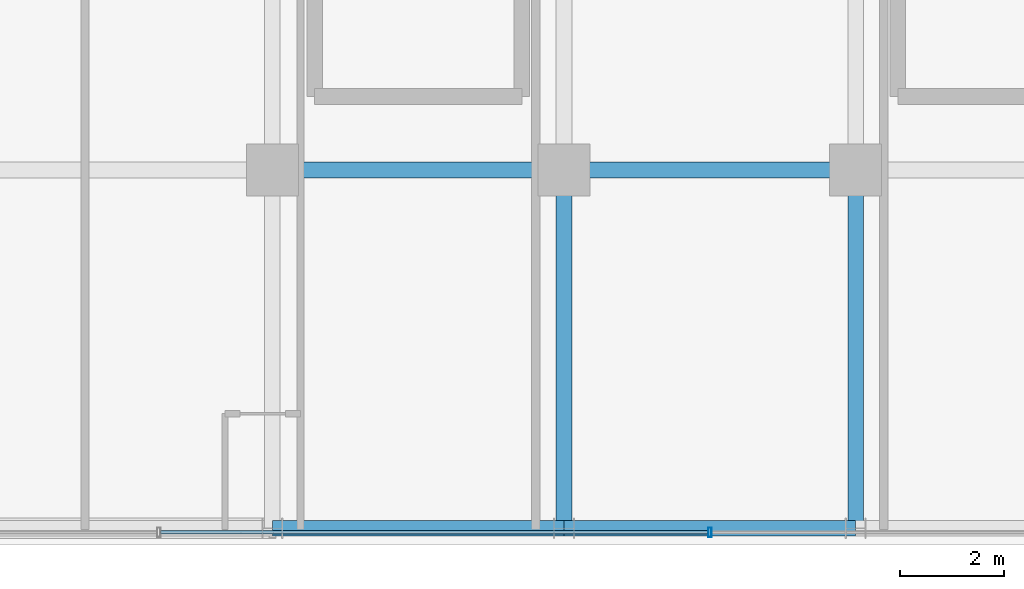
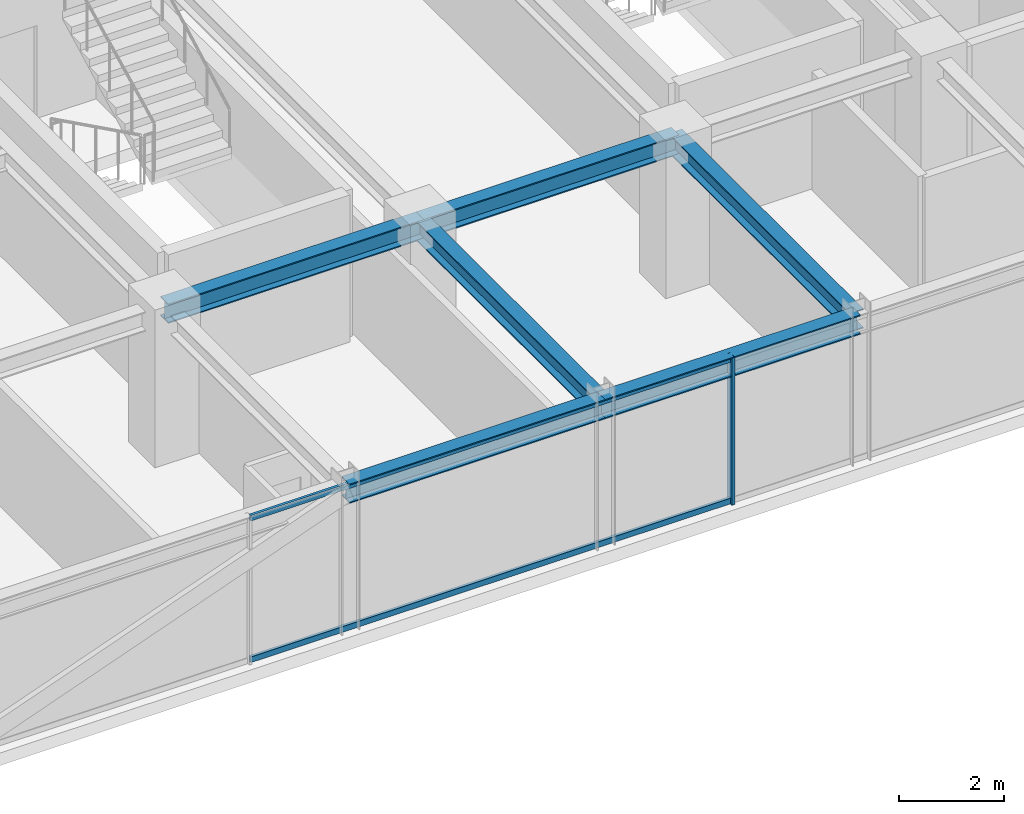
# One storey, part 8 of 36: 6 beams, 3 members, 1 element without a shape of its own.
"""IFC4 building model written with IfcOpenShell, lengths in metres."""

from ifc_helpers import new_model, si_unit, direction, frame, origin, origin_2d, place, context, subcontext, project, spatial, hollow_rectangle, i_section, extrude, source, transform, mapped, material, material_profile, profile_set, type_object, element, aggregate, save


model = new_model("IFC4")

# Units and contexts
model_context = context("Model", 3, precision=1e-05, world=origin(), true_north=direction((0.0, 1.0)))
body_context = subcontext(model_context, "Body", "Model", "MODEL_VIEW")
ifc_project = project(units=[si_unit("LENGTHUNIT", "METRE"), si_unit("AREAUNIT", "SQUARE_METRE"), si_unit("VOLUMEUNIT", "CUBIC_METRE"), si_unit("PLANEANGLEUNIT", "RADIAN"), si_unit("MASSUNIT", "GRAM", prefix="KILO")], contexts=[model_context])

# Site, building, storey
site_placement = place(None, origin())
site = spatial("IfcSite", under=ifc_project, at=site_placement, CompositionType="ELEMENT")
building_placement = place(site_placement, origin())
building = spatial("IfcBuilding", under=site, at=building_placement, Name="Nahalor Promenade Grand Hotel", CompositionType="ELEMENT")
storey_placement = place(building_placement, frame((0.0, 0.0, 212.300048828125)))
storey = spatial("IfcBuildingStorey", under=building, at=storey_placement, Name="L54", CompositionType="ELEMENT", Elevation=212.300048828125)

# Beams
ifc_material_1 = material(Name="Steel S355JR", Category="steel")
ifc_material_profile_1 = material_profile(ifc_material_1, i_section(OverallWidth=0.3, OverallDepth=0.45, WebThickness=0.014, FlangeThickness=0.026, at=origin_2d()), Name="HEB 450")
ifc_profile_set_1 = profile_set([ifc_material_profile_1], Name="Steel S355JR")
beam_type_1 = type_object("IfcBeamType", Name="Beam-Spandrel-HEB450", PredefinedType="SPANDREL", material=ifc_profile_set_1)
shared_shape_1 = source(origin(), body_context, "Body", "SweptSolid", [
    extrude(i_section(OverallWidth=0.3, OverallDepth=0.45, WebThickness=0.014, FlangeThickness=0.026, at=origin_2d()), origin(), (0.0, 0.0, 1.0), 5.599853515625),
])
beam_1_placement = place(storey_placement, frame((-8.39990234375, -23.8798828125, 3.18505859375), z_axis=(1.0, 0.0, 0.0), x_axis=(0.0, 1.0, 0.0)))
element("IfcBeam", 1, at=beam_1_placement, inside=storey, type_object=beam_type_1, Name="BM-L54-SP-S-1", PredefinedType="SPANDREL", context=body_context, shape_type="MappedRepresentation", body=[
    mapped(shared_shape_1, transform((0.0, 0.0, 0.0), scale=1.0)),
])
shared_shape_2 = source(origin(), body_context, "Body", "SweptSolid", [
    extrude(i_section(OverallWidth=0.3, OverallDepth=0.45, WebThickness=0.014, FlangeThickness=0.026, at=origin_2d()), origin(), (0.0, 0.0, 1.0), 5.60009765625),
])
beam_2_placement = place(storey_placement, frame((-2.800048828125, -23.8798828125, 3.18505859375), z_axis=(1.0, 0.0, 0.0), x_axis=(0.0, 1.0, 0.0)))
element("IfcBeam", 2, at=beam_2_placement, inside=storey, type_object=beam_type_1, Name="BM-L54-SP-S-2", PredefinedType="SPANDREL", context=body_context, shape_type="MappedRepresentation", body=[
    mapped(shared_shape_2, transform((0.0, 0.0, 0.0), scale=1.0)),
])
ifc_material_profile_2 = material_profile(ifc_material_1, i_section(OverallWidth=0.3, OverallDepth=0.45, WebThickness=0.014, FlangeThickness=0.026, at=origin_2d()), Name="HEB 450")
ifc_profile_set_2 = profile_set([ifc_material_profile_2], Name="Steel S355JR")
beam_type_2 = type_object("IfcBeamType", Name="Beam-Girder-HEB450", PredefinedType="BEAM", material=ifc_profile_set_2)
shared_shape_3 = source(origin(), body_context, "Body", "SweptSolid", [
    extrude(i_section(OverallWidth=0.3, OverallDepth=0.45, WebThickness=0.014, FlangeThickness=0.026, at=origin_2d()), origin(), (0.0, 0.0, 1.0), 6.8798828125),
])
for number, where, z_axis, x_axis, name in (
    (3, (-2.800048828125, -23.8798828125, 3.18505859375), (0.0, 1.0, 0.0), (-1.0, 0.0, 0.0), "BM-L54-GY-2-0"),
    (4, (2.800048828125, -23.8798828125, 3.18505859375), (0.0, 1.0, 0.0), (-1.0, 0.0, 0.0), "BM-L54-GY-3-0"),
):
    element("IfcBeam", number, at=place(storey_placement, frame(where, z_axis=z_axis, x_axis=x_axis)), inside=storey, type_object=beam_type_2, Name=name, PredefinedType="BEAM", context=body_context, shape_type="MappedRepresentation", body=[
        mapped(shared_shape_3, transform((0.0, 0.0, 0.0), scale=1.0)),
    ])
shared_shape_4 = source(origin(), body_context, "Body", "SweptSolid", [
    extrude(i_section(OverallWidth=0.3, OverallDepth=0.45, WebThickness=0.014, FlangeThickness=0.026, at=origin_2d()), origin(), (0.0, 0.0, 1.0), 5.599853515625),
])
beam_3_placement = place(storey_placement, frame((-8.39990234375, -17.0, 3.18505859375), z_axis=(1.0, 0.0, 0.0), x_axis=(0.0, 1.0, 0.0)))
element("IfcBeam", 5, at=beam_3_placement, inside=storey, type_object=beam_type_2, Name="BM-L54-GX-0-2", PredefinedType="BEAM", context=body_context, shape_type="MappedRepresentation", body=[
    mapped(shared_shape_4, transform((0.0, 0.0, 0.0), scale=1.0)),
])
shared_shape_5 = source(origin(), body_context, "Body", "SweptSolid", [
    extrude(i_section(OverallWidth=0.3, OverallDepth=0.45, WebThickness=0.014, FlangeThickness=0.026, at=origin_2d()), origin(), (0.0, 0.0, 1.0), 5.60009765625),
])
beam_4_placement = place(storey_placement, frame((-2.800048828125, -17.0, 3.18505859375), z_axis=(1.0, 0.0, 0.0), x_axis=(0.0, 1.0, 0.0)))
element("IfcBeam", 6, at=beam_4_placement, inside=storey, type_object=beam_type_2, Name="BM-L54-GX-0-3", PredefinedType="BEAM", context=body_context, shape_type="MappedRepresentation", body=[
    mapped(shared_shape_5, transform((0.0, 0.0, 0.0), scale=1.0)),
])

# Curtain wall, members
ifc_material_2 = material(Name="Anodised Bronze Aluminium EN AW-6063 T6", Category="aluminium")
curtain_wall_type = type_object("IfcCurtainWallType", Name="CW2 Typical Hotel Flush Bronze Unitised Curtain Wall", PredefinedType="USERDEFINED", material=ifc_material_2)
curtain_wall_placement = place(storey_placement, origin())
curtain_wall = element("IfcCurtainWall", 7, at=curtain_wall_placement, inside=storey, type_object=curtain_wall_type, Name="L54 Curtain Wall CW-L54-S-1", ObjectType="UNITISED_CURTAIN_WALL", PredefinedType="USERDEFINED")
ifc_material_profile_3 = material_profile(ifc_material_2, hollow_rectangle(XDim=0.065, YDim=0.13, WallThickness=0.004, at=origin_2d()), Name="CWT 65x130x4")
ifc_profile_set_3 = profile_set([ifc_material_profile_3], Name="Anodised Bronze Aluminium EN AW-6063 T6")
member_type_1 = type_object("IfcMemberType", Name="CWT2 Typical Bronze Transom 65x130", PredefinedType="USERDEFINED", material=ifc_profile_set_3)
shared_shape_6 = source(origin(), body_context, "Body", "SweptSolid", [
    extrude(hollow_rectangle(XDim=0.065, YDim=0.13, WallThickness=0.004, at=origin_2d()), origin(), (0.0, 0.0, 1.0), 10.51513671875),
])
member_1_placement = place(storey_placement, frame((-10.547607421875, -23.9599609375, 0.06494140625), z_axis=(1.0, 0.0, 0.0), x_axis=(0.0, 1.0, 0.0)))
member_1 = element("IfcMember", 8, at=member_1_placement, type_object=member_type_1, Name="CW-L54-S-1 Transom 1-0", ObjectType="TRANSOM", PredefinedType="USERDEFINED", context=body_context, shape_type="MappedRepresentation", body=[
    mapped(shared_shape_6, transform((0.0, 0.0, 0.0), scale=1.0)),
])
member_2_placement = place(storey_placement, frame((-10.547607421875, -23.9599609375, 3.344970703125), z_axis=(1.0, 0.0, 0.0), x_axis=(0.0, 1.0, 0.0)))
member_2 = element("IfcMember", 9, at=member_2_placement, type_object=member_type_1, Name="CW-L54-S-1 Transom 1-1", ObjectType="TRANSOM", PredefinedType="USERDEFINED", context=body_context, shape_type="MappedRepresentation", body=[
    mapped(shared_shape_6, transform((0.0, 0.0, 0.0), scale=1.0)),
])
ifc_material_profile_4 = material_profile(ifc_material_2, hollow_rectangle(XDim=0.065, YDim=0.18, WallThickness=0.004, at=origin_2d()), Name="CWM 65x180x4")
ifc_profile_set_4 = profile_set([ifc_material_profile_4], Name="Anodised Bronze Aluminium EN AW-6063 T6")
member_type_2 = type_object("IfcMemberType", Name="CWM2 Typical Bronze Mullion 65x180", PredefinedType="MULLION", material=ifc_profile_set_4)
shared_shape_7 = source(origin(), body_context, "Body", "SweptSolid", [
    extrude(hollow_rectangle(XDim=0.065, YDim=0.18, WallThickness=0.004, at=origin_2d()), origin(), (0.0, 0.0, 1.0), 3.409912109375),
])
member_3_placement = place(storey_placement, frame((0.0, -23.9599609375, 0.0), z_axis=(0.0, 0.0, 1.0), x_axis=(1.0, 0.0, 0.0)))
member_3 = element("IfcMember", 10, at=member_3_placement, type_object=member_type_2, Name="CW-L54-S-1 Mullion 2", PredefinedType="MULLION", context=body_context, shape_type="MappedRepresentation", body=[
    mapped(shared_shape_7, transform((0.0, 0.0, 0.0), scale=1.0)),
])
aggregate(curtain_wall, [member_3, member_1, member_2])

save(model, "model.ifc")
